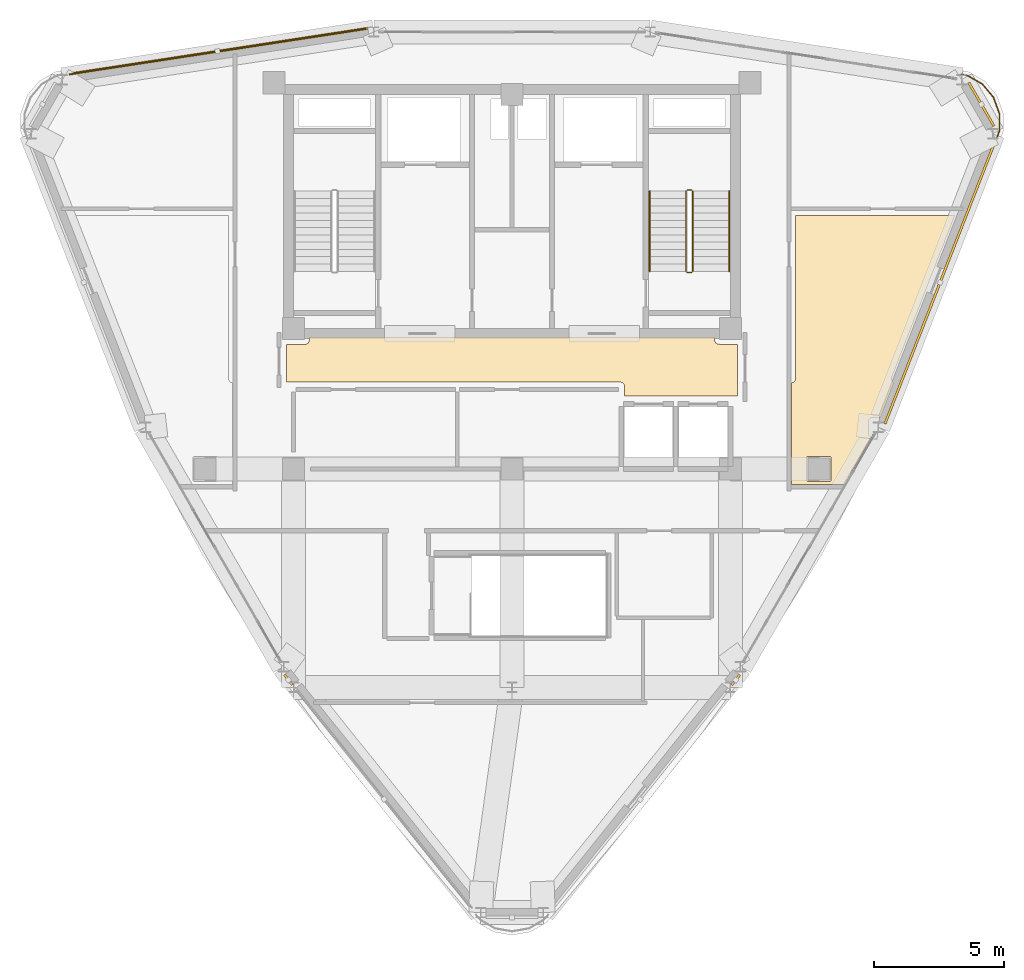
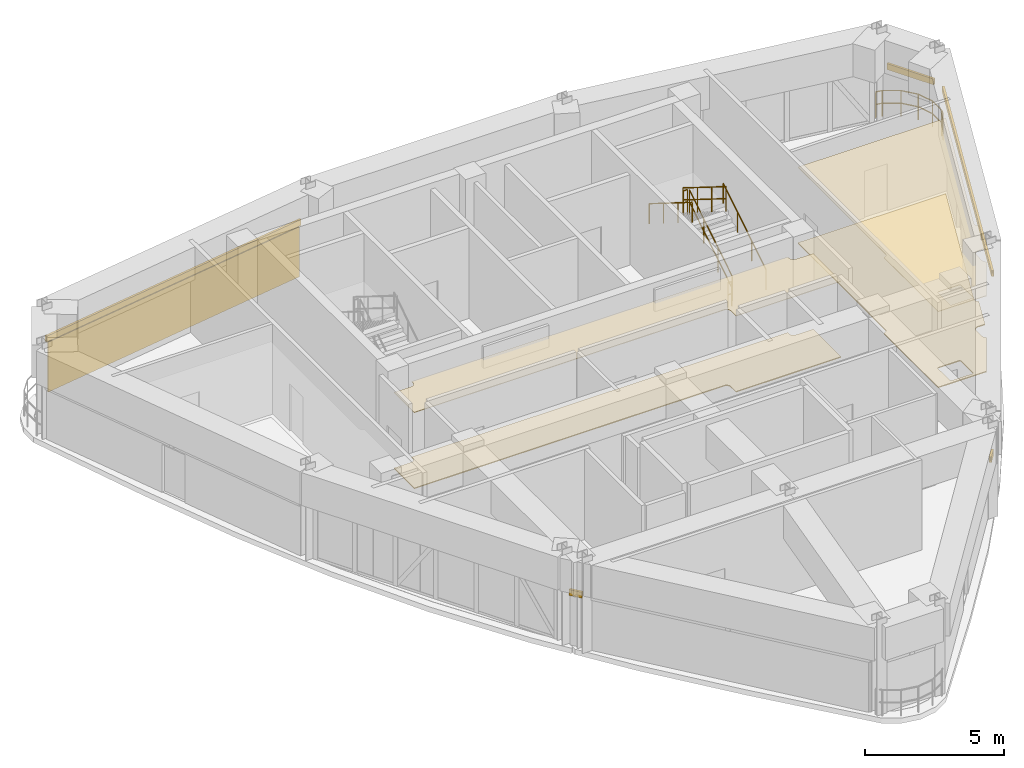
# One storey, part 16 of 16: 7 railings, 5 coverings, 5 shading devices.
"""IFC4 building model written with IfcOpenShell, lengths in metres."""

from ifc_helpers import new_model, si_unit, derived_unit, direction, frame, origin, origin_2d, place, context, subcontext, project, spatial, polyline, hollow_rectangle, circle, outline, extrude, source, transform, mapped, material, layer, layer_set, material_profile, profile_set, type_object, element, save


model = new_model("IFC4")

# Units and contexts
model_context = context("Model", 3, precision=1e-05, world=origin(), true_north=direction((0.0, 1.0)))
body_context = subcontext(model_context, "Body", "Model", "MODEL_VIEW")
ifc_project = project(units=[si_unit("LENGTHUNIT", "METRE"), si_unit("AREAUNIT", "SQUARE_METRE"), si_unit("VOLUMEUNIT", "CUBIC_METRE"), si_unit("PLANEANGLEUNIT", "RADIAN"), si_unit("MASSUNIT", "GRAM", prefix="KILO"), derived_unit("THERMALTRANSMITTANCEUNIT", [(si_unit("POWERUNIT", "WATT"), 1), (si_unit("LENGTHUNIT", "METRE"), -2), (si_unit("THERMODYNAMICTEMPERATUREUNIT", "KELVIN"), -1)])], contexts=[model_context])

# Site, building, storey
site_placement = place(None, origin())
site = spatial("IfcSite", under=ifc_project, at=site_placement, CompositionType="ELEMENT")
building_placement = place(site_placement, origin())
building = spatial("IfcBuilding", under=site, at=building_placement, Name="Korsvarv Bourse and Concert Hall", CompositionType="ELEMENT")
storey_placement = place(building_placement, frame((0.0, 0.0, 288.0)))
storey = spatial("IfcBuildingStorey", under=building, at=storey_placement, Name="L75", CompositionType="ELEMENT", Elevation=288.0)

# Coverings
ifc_material_1 = material(Name="Perforated mineral-wool and birch acoustic baffle ceiling", Category="wood")
ifc_layer_1 = layer(ifc_material_1, 0.02490234375)
ifc_layer_set_1 = layer_set([ifc_layer_1], Name="Perforated mineral-wool and birch acoustic baffle ceiling")
covering_type_1 = type_object("IfcCoveringType", Name="COV-CEIL-1", PredefinedType="CEILING", material=ifc_layer_set_1)
covering_1_placement = place(storey_placement, frame((0.0, 0.0, 3.330078125)))
element("IfcCovering", 1, at=covering_1_placement, inside=storey, type_object=covering_type_1, Name="L75 acoustic baffle ceiling 1", PredefinedType="CEILING", context=body_context, shape_type="SweptSolid", body=[
    extrude(outline(polyline([(46.75, 35.711181640625), (46.775146484375, 35.7158203125), (46.809326171875, 35.728515625), (46.840087890625, 35.747802734375), (46.86669921875, 35.772705078125), (46.887451171875, 35.802734375), (46.901611328125, 35.836181640625), (46.9091796875, 35.871826171875), (46.909912109375, 42.14990234375), (53.032470703125, 42.14990234375), (50.61328125, 35.9443359375), (50.603515625, 35.9091796875), (50.60107421875, 35.873046875), (50.60595703125, 35.8369140625), (50.617919921875, 35.802734375), (50.63671875, 35.771484375), (50.6611328125, 35.74462890625), (50.690673828125, 35.723388671875), (50.176513671875, 34.38330078125), (49.8916015625, 34.38623046875), (49.856689453125, 34.38330078125), (49.822998046875, 34.37353515625), (49.7919921875, 34.357421875), (49.7646484375, 34.335693359375), (49.741943359375, 34.30908203125), (49.724853515625, 34.27880859375), (49.7138671875, 34.245361328125), (49.709716796875, 34.210693359375), (49.69970703125, 33.8017578125), (49.7021484375, 33.766845703125), (49.71142578125, 33.7333984375), (49.726806640625, 33.7021484375), (49.748046875, 33.67431640625), (49.774169921875, 33.6513671875), (49.80419921875, 33.6337890625), (48.74951171875, 31.794921875), (48.724609375, 31.802001953125), (48.689208984375, 31.8056640625), (46.75, 31.81005859375), (46.75, 35.711181640625)]), holes=[polyline([(47.365234375, 31.926025390625), (48.22509765625, 31.925048828125), (48.24853515625, 31.930908203125), (48.2666015625, 31.947265625), (48.27490234375, 31.97021484375), (48.27490234375, 32.824951171875), (48.26904296875, 32.8486328125), (48.252685546875, 32.86669921875), (48.22998046875, 32.874755859375), (47.375, 32.875), (47.351318359375, 32.869140625), (47.33349609375, 32.852783203125), (47.3251953125, 32.829833984375), (47.324951171875, 31.97509765625), (47.330810546875, 31.951416015625), (47.365234375, 31.926025390625)])]), origin(), (0.0, 0.0, 1.0), 0.02490234375),
])
covering_2_placement = place(storey_placement, frame((0.0, 0.0, 3.330078125)))
element("IfcCovering", 2, at=covering_2_placement, inside=storey, type_object=covering_type_1, Name="L75 acoustic baffle ceiling 3", PredefinedType="CEILING", context=body_context, shape_type="SweptSolid", body=[
    extrude(outline(polyline([(28.02294921875, 37.18505859375), (28.0576171875, 37.18798828125), (28.091064453125, 37.197509765625), (28.121826171875, 37.21337890625), (28.1494140625, 37.23486328125), (28.172119140625, 37.260986328125), (28.189208984375, 37.291259765625), (28.2001953125, 37.32421875), (28.204833984375, 37.358642578125), (28.208740234375, 37.469970703125), (43.784912109375, 37.469970703125), (43.784912109375, 37.375), (43.788330078125, 37.340087890625), (43.798583984375, 37.306640625), (43.81494140625, 37.275634765625), (43.8369140625, 37.24853515625), (43.864013671875, 37.22607421875), (43.894775390625, 37.209228515625), (43.927978515625, 37.19873046875), (43.962890625, 37.195068359375), (44.679931640625, 37.186767578125), (44.679931640625, 35.199951171875), (40.330078125, 35.199951171875), (40.330078125, 35.56005859375), (40.326416015625, 35.59521484375), (40.31640625, 35.62890625), (40.2998046875, 35.659912109375), (40.27734375, 35.687255859375), (40.25, 35.709716796875), (40.218994140625, 35.726318359375), (40.18505859375, 35.736572265625), (40.14990234375, 35.739990234375), (27.320068359375, 35.739990234375), (27.320068359375, 37.193115234375), (28.02294921875, 37.18505859375)])), origin(), (0.0, 0.0, 1.0), 0.02490234375),
])
ifc_material_2 = material(Name="Warm iron-oxide extruded terracotta rainscreen tile", Category="ceramic")
ifc_layer_2 = layer(ifc_material_2, 0.044921875)
ifc_layer_set_2 = layer_set([ifc_layer_2], Name="Warm iron-oxide extruded terracotta rainscreen tile")
covering_type_2 = type_object("IfcCoveringType", Name="COV-CLD-TC", PredefinedType="CLADDING", material=ifc_layer_set_2)
covering_3_placement = place(storey_placement, origin())
element("IfcCovering", 3, at=covering_3_placement, inside=storey, type_object=covering_type_2, Name="L75 fluted terracotta cladding panel EW-L75-B04", PredefinedType="CLADDING", context=body_context, shape_type="SweptSolid", body=[
    extrude(outline(polyline([(30.384765625, 49.293701171875), (18.9755859375, 47.547607421875), (18.96875, 47.592041015625), (30.3779296875, 49.33837890625), (30.384765625, 49.293701171875)])), origin(), (0.0, 0.0, 1.0), 2.18994140625),
])
ifc_material_3 = material(Name="Calcium-sulphate raised access trading floor with Nordic oak top", Category="wood")
ifc_layer_3 = layer(ifc_material_3, 0.0400390625)
ifc_layer_set_3 = layer_set([ifc_layer_3], Name="Calcium-sulphate raised access trading floor with Nordic oak top")
covering_type_3 = type_object("IfcCoveringType", Name="COV-FLOR-1", PredefinedType="FLOORING", material=ifc_layer_set_3)
covering_4_placement = place(storey_placement, origin())
element("IfcCovering", 4, at=covering_4_placement, inside=storey, type_object=covering_type_3, Name="L75 raised access oak floor finish 1", PredefinedType="FLOORING", context=body_context, shape_type="SweptSolid", body=[
    extrude(outline(polyline([(46.75, 35.711181640625), (46.775146484375, 35.7158203125), (46.809326171875, 35.728515625), (46.840087890625, 35.747802734375), (46.86669921875, 35.772705078125), (46.887451171875, 35.802734375), (46.901611328125, 35.836181640625), (46.9091796875, 35.871826171875), (46.909912109375, 42.14990234375), (53.032470703125, 42.14990234375), (50.61328125, 35.9443359375), (50.603515625, 35.9091796875), (50.60107421875, 35.873046875), (50.60595703125, 35.8369140625), (50.617919921875, 35.802734375), (50.63671875, 35.771484375), (50.6611328125, 35.74462890625), (50.690673828125, 35.723388671875), (50.176513671875, 34.38330078125), (49.8916015625, 34.38623046875), (49.856689453125, 34.38330078125), (49.822998046875, 34.37353515625), (49.7919921875, 34.357421875), (49.7646484375, 34.335693359375), (49.741943359375, 34.30908203125), (49.724853515625, 34.27880859375), (49.7138671875, 34.245361328125), (49.709716796875, 34.210693359375), (49.69970703125, 33.8017578125), (49.7021484375, 33.766845703125), (49.71142578125, 33.7333984375), (49.726806640625, 33.7021484375), (49.748046875, 33.67431640625), (49.774169921875, 33.6513671875), (49.80419921875, 33.6337890625), (48.74951171875, 31.794921875), (48.724609375, 31.802001953125), (48.689208984375, 31.8056640625), (46.75, 31.81005859375), (46.75, 35.711181640625)]), holes=[polyline([(47.365234375, 31.926025390625), (48.22509765625, 31.925048828125), (48.24853515625, 31.930908203125), (48.2666015625, 31.947265625), (48.27490234375, 31.97021484375), (48.27490234375, 32.824951171875), (48.26904296875, 32.8486328125), (48.252685546875, 32.86669921875), (48.22998046875, 32.874755859375), (47.375, 32.875), (47.351318359375, 32.869140625), (47.33349609375, 32.852783203125), (47.3251953125, 32.829833984375), (47.324951171875, 31.97509765625), (47.330810546875, 31.951416015625), (47.365234375, 31.926025390625)])]), origin(), (0.0, 0.0, 1.0), 0.0400390625),
])
covering_5_placement = place(storey_placement, origin())
element("IfcCovering", 5, at=covering_5_placement, inside=storey, type_object=covering_type_3, Name="L75 raised access oak floor finish 3", PredefinedType="FLOORING", context=body_context, shape_type="SweptSolid", body=[
    extrude(outline(polyline([(28.02294921875, 37.18505859375), (28.0576171875, 37.18798828125), (28.091064453125, 37.197509765625), (28.121826171875, 37.21337890625), (28.1494140625, 37.23486328125), (28.172119140625, 37.260986328125), (28.189208984375, 37.291259765625), (28.2001953125, 37.32421875), (28.204833984375, 37.358642578125), (28.208740234375, 37.469970703125), (43.784912109375, 37.469970703125), (43.784912109375, 37.375), (43.788330078125, 37.340087890625), (43.798583984375, 37.306640625), (43.81494140625, 37.275634765625), (43.8369140625, 37.24853515625), (43.864013671875, 37.22607421875), (43.894775390625, 37.209228515625), (43.927978515625, 37.19873046875), (43.962890625, 37.195068359375), (44.679931640625, 37.186767578125), (44.679931640625, 35.199951171875), (40.330078125, 35.199951171875), (40.330078125, 35.56005859375), (40.326416015625, 35.59521484375), (40.31640625, 35.62890625), (40.2998046875, 35.659912109375), (40.27734375, 35.687255859375), (40.25, 35.709716796875), (40.218994140625, 35.726318359375), (40.18505859375, 35.736572265625), (40.14990234375, 35.739990234375), (27.320068359375, 35.739990234375), (27.320068359375, 37.193115234375), (28.02294921875, 37.18505859375)])), origin(), (0.0, 0.0, 1.0), 0.0400390625),
])

# Railings
ifc_material_4 = material(Name="Laminated safety glass and stainless Steel S355 balustrade", Category="steel")
railing_type_1 = type_object("IfcRailingType", Name="RL-BAL-EXT", PredefinedType="BALUSTRADE", material=ifc_material_4)
railing_1_placement = place(storey_placement, frame((53.26171875, 47.576416015625, 0.0)))
element("IfcRailing", 6, at=railing_1_placement, inside=storey, type_object=railing_type_1, Name="L75 terrace perimeter balustrade SKYG2-1", PredefinedType="BALUSTRADE", context=body_context, shape_type="SweptSolid", body=[
    extrude(circle(Radius=0.02392578125, at=origin_2d()), frame((0.0, 0.0, 1.1259765625), z_axis=(0.984725074831, -0.174116417947, 0.0), x_axis=(0.174116417947, 0.984725074831, 0.0)), (0.0, 0.0, 1.0), 0.25244140625),
    extrude(circle(Radius=0.02392578125, at=origin_2d()), frame((0.0, 0.0, 0.574951171875), z_axis=(0.984725074831, -0.174116417947, 0.0), x_axis=(0.174116417947, 0.984725074831, 0.0)), (0.0, 0.0, 1.0), 0.25244140625),
    extrude(circle(Radius=0.02392578125, at=origin_2d()), frame((0.24853515625, -0.0439453125, 1.1259765625), z_axis=(0.866136743332, -0.499807104641, 0.0), x_axis=(0.499807104641, 0.866136743332, 0.0)), (0.0, 0.0, 1.0), 0.665771484375),
    extrude(circle(Radius=0.02392578125, at=origin_2d()), frame((0.24853515625, -0.0439453125, 0.574951171875), z_axis=(0.866136743332, -0.499807104641, 0.0), x_axis=(0.499807104641, 0.866136743332, 0.0)), (0.0, 0.0, 1.0), 0.665771484375),
    extrude(circle(Radius=0.02392578125, at=origin_2d()), frame((0.8251953125, -0.376708984375, 1.1259765625), z_axis=(0.642633088198, -0.76617407549, 0.0), x_axis=(0.76617407549, 0.642633088198, 0.0)), (0.0, 0.0, 1.0), 0.666015625),
    extrude(circle(Radius=0.02392578125, at=origin_2d()), frame((0.8251953125, -0.376708984375, 0.574951171875), z_axis=(0.642633088198, -0.76617407549, 0.0), x_axis=(0.76617407549, 0.642633088198, 0.0)), (0.0, 0.0, 1.0), 0.666015625),
    extrude(circle(Radius=0.02392578125, at=origin_2d()), frame((1.253173828125, -0.886962890625, 1.1259765625), z_axis=(0.342184740567, -0.939632695963, 0.0), x_axis=(0.939632695963, 0.342184740567, 0.0)), (0.0, 0.0, 1.0), 0.665771484375),
    extrude(circle(Radius=0.02392578125, at=origin_2d()), frame((1.253173828125, -0.886962890625, 0.574951171875), z_axis=(0.342184740567, -0.939632695963, 0.0), x_axis=(0.939632695963, 0.342184740567, 0.0)), (0.0, 0.0, 1.0), 0.665771484375),
    extrude(circle(Radius=0.02392578125, at=origin_2d()), frame((1.48095703125, -1.512451171875, 1.1259765625), z_axis=(0.0, -1.0, 0.0), x_axis=(1.0, 0.0, 0.0)), (0.0, 0.0, 1.0), 0.666015625),
    extrude(circle(Radius=0.02392578125, at=origin_2d()), frame((1.48095703125, -1.512451171875, 0.574951171875), z_axis=(0.0, -1.0, 0.0), x_axis=(1.0, 0.0, 0.0)), (0.0, 0.0, 1.0), 0.666015625),
    extrude(circle(Radius=0.02392578125, at=origin_2d()), frame((1.48095703125, -2.178466796875, 1.1259765625), z_axis=(-0.342519827451, -0.939510600155, 0.0), x_axis=(0.939510600155, -0.342519827451, 0.0)), (0.0, 0.0, 1.0), 0.25244140625),
    extrude(circle(Radius=0.02392578125, at=origin_2d()), frame((1.48095703125, -2.178466796875, 0.574951171875), z_axis=(-0.342519827451, -0.939510600155, 0.0), x_axis=(0.939510600155, -0.342519827451, 0.0)), (0.0, 0.0, 1.0), 0.25244140625),
    extrude(circle(Radius=0.02099609375, at=origin_2d()), origin(), (0.0, 0.0, 1.0), 1.101806640625),
    extrude(circle(Radius=0.02099609375, at=origin_2d()), frame((0.24853515625, -0.0439453125, 0.0)), (0.0, 0.0, 1.0), 1.101806640625),
    extrude(circle(Radius=0.02099609375, at=origin_2d()), frame((0.8251953125, -0.376708984375, 0.0)), (0.0, 0.0, 1.0), 1.101806640625),
    extrude(circle(Radius=0.02099609375, at=origin_2d()), frame((1.253173828125, -0.886962890625, 0.0)), (0.0, 0.0, 1.0), 1.101806640625),
    extrude(circle(Radius=0.02099609375, at=origin_2d()), frame((1.48095703125, -1.512451171875, 0.0)), (0.0, 0.0, 1.0), 1.101806640625),
    extrude(circle(Radius=0.02099609375, at=origin_2d()), frame((1.48095703125, -2.178466796875, 0.0)), (0.0, 0.0, 1.0), 1.101806640625),
    extrude(circle(Radius=0.02099609375, at=origin_2d()), frame((1.39453125, -2.41552734375, 0.0)), (0.0, 0.0, 1.0), 1.101806640625),
])
ifc_material_5 = material(Name="Painted Steel S355 stair well guardrail", Category="steel")
railing_type_2 = type_object("IfcRailingType", Name="RL-ST-GRD", PredefinedType="GUARDRAIL", material=ifc_material_5)
railing_2_placement = place(storey_placement, frame((42.949951171875, 40.0, 0.175048828125)))
element("IfcRailing", 7, at=railing_2_placement, inside=storey, type_object=railing_type_2, Name="L75 ST-T2 stair guard 1", PredefinedType="GUARDRAIL", context=body_context, shape_type="SweptSolid", body=[
    extrude(circle(Radius=0.02392578125, at=origin_2d()), frame((0.0, 0.0, 1.076171875), z_axis=(0.0, 0.847998304005, 0.529998940003), x_axis=(-1.0, 0.0, 0.0)), (0.0, 0.0, 1.0), 3.632080078125),
    extrude(circle(Radius=0.02392578125, at=origin_2d()), frame((0.0, 0.0, 0.550048828125), z_axis=(0.0, 0.847998304005, 0.529998940003), x_axis=(-1.0, 0.0, 0.0)), (0.0, 0.0, 1.0), 3.632080078125),
    extrude(circle(Radius=0.02099609375, at=origin_2d()), origin(), (0.0, 0.0, 1.0), 1.052001953125),
    extrude(circle(Radius=0.02099609375, at=origin_2d()), frame((0.0, 1.026611328125, 0.6416015625)), (0.0, 0.0, 1.0), 1.052001953125),
    extrude(circle(Radius=0.02099609375, at=origin_2d()), frame((0.0, 2.053466796875, 1.283447265625)), (0.0, 0.0, 1.0), 1.052001953125),
    extrude(circle(Radius=0.02099609375, at=origin_2d()), frame((0.0, 3.080078125, 1.925048828125)), (0.0, 0.0, 1.0), 1.052001953125),
])
railing_3_placement = place(storey_placement, frame((42.89990234375, 43.1298828125, 2.10009765625)))
element("IfcRailing", 8, at=railing_3_placement, inside=storey, type_object=railing_type_2, Name="L75 ST-T2 stair guard 2", PredefinedType="GUARDRAIL", context=body_context, shape_type="SweptSolid", body=[
    extrude(circle(Radius=0.02392578125, at=origin_2d()), frame((0.0, 0.0, 1.076171875), z_axis=(-1.0, 0.0, 0.0), x_axis=(0.0, -1.0, 0.0)), (0.0, 0.0, 1.0), 0.159912109375),
    extrude(circle(Radius=0.02392578125, at=origin_2d()), frame((0.0, 0.0, 0.550048828125), z_axis=(-1.0, 0.0, 0.0), x_axis=(0.0, -1.0, 0.0)), (0.0, 0.0, 1.0), 0.159912109375),
    extrude(circle(Radius=0.02099609375, at=origin_2d()), origin(), (0.0, 0.0, 1.0), 1.052001953125),
    extrude(circle(Radius=0.02099609375, at=origin_2d()), frame((-0.159912109375, 0.0, 0.0)), (0.0, 0.0, 1.0), 1.052001953125),
])
railing_4_placement = place(storey_placement, frame((42.68994140625, 43.080078125, 2.27490234375)))
element("IfcRailing", 9, at=railing_4_placement, inside=storey, type_object=railing_type_2, Name="L75 ST-T2 stair guard 3", PredefinedType="GUARDRAIL", context=body_context, shape_type="SweptSolid", body=[
    extrude(circle(Radius=0.02392578125, at=origin_2d()), frame((0.0, 0.0, 1.076171875), z_axis=(0.0, -0.847998304005, 0.529998940003), x_axis=(1.0, 0.0, 0.0)), (0.0, 0.0, 1.0), 3.632080078125),
    extrude(circle(Radius=0.02392578125, at=origin_2d()), frame((0.0, 0.0, 0.550048828125), z_axis=(0.0, -0.847998304005, 0.529998940003), x_axis=(1.0, 0.0, 0.0)), (0.0, 0.0, 1.0), 3.632080078125),
    extrude(circle(Radius=0.02099609375, at=origin_2d()), origin(), (0.0, 0.0, 1.0), 1.052001953125),
    extrude(circle(Radius=0.02099609375, at=origin_2d()), frame((0.0, -1.026611328125, 0.6416015625)), (0.0, 0.0, 1.0), 1.052001953125),
    extrude(circle(Radius=0.02099609375, at=origin_2d()), frame((0.0, -2.053466796875, 1.283447265625)), (0.0, 0.0, 1.0), 1.052001953125),
    extrude(circle(Radius=0.02099609375, at=origin_2d()), frame((0.0, -3.080078125, 1.925048828125)), (0.0, 0.0, 1.0), 1.052001953125),
])
railing_5_placement = place(storey_placement, frame((42.89990234375, 39.949951171875, 0.0)))
element("IfcRailing", 10, at=railing_5_placement, inside=storey, type_object=railing_type_2, Name="L75 ST-T2 stair guard 4", PredefinedType="GUARDRAIL", context=body_context, shape_type="SweptSolid", body=[
    extrude(circle(Radius=0.02392578125, at=origin_2d()), frame((0.0, 0.0, 1.076171875), z_axis=(-1.0, 0.0, 0.0), x_axis=(0.0, -1.0, 0.0)), (0.0, 0.0, 1.0), 0.159912109375),
    extrude(circle(Radius=0.02392578125, at=origin_2d()), frame((0.0, 0.0, 0.550048828125), z_axis=(-1.0, 0.0, 0.0), x_axis=(0.0, -1.0, 0.0)), (0.0, 0.0, 1.0), 0.159912109375),
    extrude(circle(Radius=0.02099609375, at=origin_2d()), origin(), (0.0, 0.0, 1.0), 1.052001953125),
    extrude(circle(Radius=0.02099609375, at=origin_2d()), frame((-0.159912109375, 0.0, 0.0)), (0.0, 0.0, 1.0), 1.052001953125),
])
ifc_material_6 = material(Name="Brushed stainless Steel S355 tubular handrail", Category="steel")
railing_type_3 = type_object("IfcRailingType", Name="RL-ST-HND", PredefinedType="HANDRAIL", material=ifc_material_6)
railing_6_placement = place(storey_placement, frame((44.35009765625, 40.0, 0.175048828125)))
element("IfcRailing", 11, at=railing_6_placement, inside=storey, type_object=railing_type_3, Name="L75 ST-T2 stair handrail 1", PredefinedType="HANDRAIL", context=body_context, shape_type="SweptSolid", body=[
    extrude(circle(Radius=0.02392578125, at=origin_2d()), frame((0.0, 0.0, 0.8759765625), z_axis=(0.0, 0.847998304005, 0.529998940003), x_axis=(-1.0, 0.0, 0.0)), (0.0, 0.0, 1.0), 3.632080078125),
    extrude(circle(Radius=0.02099609375, at=origin_2d()), origin(), (0.0, 0.0, 1.0), 0.851806640625),
    extrude(circle(Radius=0.02099609375, at=origin_2d()), frame((0.0, 1.026611328125, 0.6416015625)), (0.0, 0.0, 1.0), 0.851806640625),
    extrude(circle(Radius=0.02099609375, at=origin_2d()), frame((0.0, 2.053466796875, 1.283447265625)), (0.0, 0.0, 1.0), 0.851806640625),
    extrude(circle(Radius=0.02099609375, at=origin_2d()), frame((0.0, 3.080078125, 1.925048828125)), (0.0, 0.0, 1.0), 0.851806640625),
])
railing_7_placement = place(storey_placement, frame((41.2900390625, 43.080078125, 2.27490234375)))
element("IfcRailing", 12, at=railing_7_placement, inside=storey, type_object=railing_type_3, Name="L75 ST-T2 stair handrail 2", PredefinedType="HANDRAIL", context=body_context, shape_type="SweptSolid", body=[
    extrude(circle(Radius=0.02392578125, at=origin_2d()), frame((0.0, 0.0, 0.8759765625), z_axis=(0.0, -0.847998304005, 0.529998940003), x_axis=(1.0, 0.0, 0.0)), (0.0, 0.0, 1.0), 3.632080078125),
    extrude(circle(Radius=0.02099609375, at=origin_2d()), origin(), (0.0, 0.0, 1.0), 0.851806640625),
    extrude(circle(Radius=0.02099609375, at=origin_2d()), frame((0.0, -1.026611328125, 0.6416015625)), (0.0, 0.0, 1.0), 0.851806640625),
    extrude(circle(Radius=0.02099609375, at=origin_2d()), frame((0.0, -2.053466796875, 1.283447265625)), (0.0, 0.0, 1.0), 0.851806640625),
    extrude(circle(Radius=0.02099609375, at=origin_2d()), frame((0.0, -3.080078125, 1.925048828125)), (0.0, 0.0, 1.0), 0.851806640625),
])

# Shading devices
ifc_material_7 = material(Name="Glazed extruded architectural terracotta", Category="ceramic")
ifc_material_profile = material_profile(ifc_material_7, hollow_rectangle(XDim=0.090087890625, YDim=0.260009765625, WallThickness=0.011962890625, at=origin_2d()), Name="TC-BAG 90x260")
ifc_profile_set = profile_set([ifc_material_profile], Name="Glazed extruded architectural terracotta")
shading_device_type = type_object("IfcShadingDeviceType", Name="SHD-BAG-1", PredefinedType="USERDEFINED", material=ifc_profile_set)
shared_shape_1 = source(origin(), body_context, "Body", "SweptSolid", [
    extrude(hollow_rectangle(XDim=0.090087890625, YDim=0.260009765625, WallThickness=0.011962890625, at=origin_2d()), origin(), (0.0, 0.0, 1.0), 1.93359375),
])
shading_device_1_placement = place(storey_placement, frame((54.53369140625, 45.583984375, 2.35009765625), z_axis=(-0.499995691662, 0.86602789119, 0.0), x_axis=(-0.86602789119, -0.499995691662, 0.0)))
element("IfcShadingDevice", 13, at=shading_device_1_placement, inside=storey, type_object=shading_device_type, Name="L75 terracotta baguette sunshade EW-L75-B01", ObjectType="BAGUETTE", PredefinedType="USERDEFINED", context=body_context, shape_type="MappedRepresentation", body=[
    mapped(shared_shape_1, transform((0.0, 0.0, 0.0), scale=1.0)),
])
shared_shape_2 = source(origin(), body_context, "Body", "SweptSolid", [
    extrude(hollow_rectangle(XDim=0.090087890625, YDim=0.260009765625, WallThickness=0.011962890625, at=origin_2d()), origin(), (0.0, 0.0, 1.0), 11.7021484375),
])
shading_device_2_placement = place(storey_placement, frame((30.457763671875, 49.345458984375, 2.35009765625), z_axis=(-0.988491262613, -0.151277968451, 0.0), x_axis=(0.151277968451, -0.988491262613, 0.0)))
element("IfcShadingDevice", 14, at=shading_device_2_placement, inside=storey, type_object=shading_device_type, Name="L75 terracotta baguette sunshade EW-L75-B04", ObjectType="BAGUETTE", PredefinedType="USERDEFINED", context=body_context, shape_type="MappedRepresentation", body=[
    mapped(shared_shape_2, transform((0.0, 0.0, 0.0), scale=1.0)),
])
shared_shape_3 = source(origin(), body_context, "Body", "SweptSolid", [
    extrude(hollow_rectangle(XDim=0.090087890625, YDim=0.260009765625, WallThickness=0.011962890625, at=origin_2d()), origin(), (0.0, 0.0, 1.0), 11.678955078125),
])
shading_device_3_placement = place(storey_placement, frame((50.34228515625, 34.134033203125, 2.35009765625), z_axis=(0.363212817612, 0.931706203222, 0.0), x_axis=(-0.931706203222, 0.363212817612, 0.0)))
element("IfcShadingDevice", 15, at=shading_device_3_placement, inside=storey, type_object=shading_device_type, Name="L75 terracotta baguette sunshade EW-L75-B12", ObjectType="BAGUETTE", PredefinedType="USERDEFINED", context=body_context, shape_type="MappedRepresentation", body=[
    mapped(shared_shape_3, transform((0.0, 0.0, 0.0), scale=1.0)),
])
shared_shape_4 = source(origin(), body_context, "Body", "SweptSolid", [
    extrude(hollow_rectangle(XDim=0.090087890625, YDim=0.260009765625, WallThickness=0.011962890625, at=origin_2d()), origin(), (0.0, 0.0, 1.0), 0.5),
])
for number, where, z_axis, x_axis, name in (
    (16, (27.247314453125, 24.4853515625, 2.35009765625), (0.625468820951, -0.780249161498, 0.0), (0.780249161498, 0.625468820951, 0.0), "L75 terracotta baguette sunshade EW-L75-B08-1"),
    (17, (44.44775390625, 24.0888671875, 2.35009765625), (0.625468820951, 0.780249161498, 0.0), (-0.780249161498, 0.625468820951, 0.0), "L75 terracotta baguette sunshade EW-L75-B10-2"),
):
    element("IfcShadingDevice", number, at=place(storey_placement, frame(where, z_axis=z_axis, x_axis=x_axis)), inside=storey, type_object=shading_device_type, Name=name, ObjectType="BAGUETTE", PredefinedType="USERDEFINED", context=body_context, shape_type="MappedRepresentation", body=[
        mapped(shared_shape_4, transform((0.0, 0.0, 0.0), scale=1.0)),
    ])

save(model, "model.ifc")
